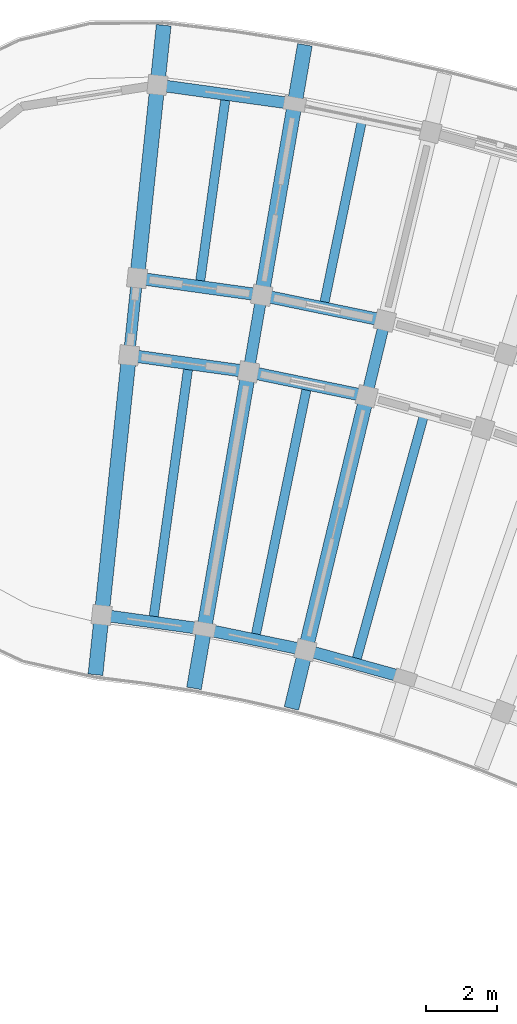
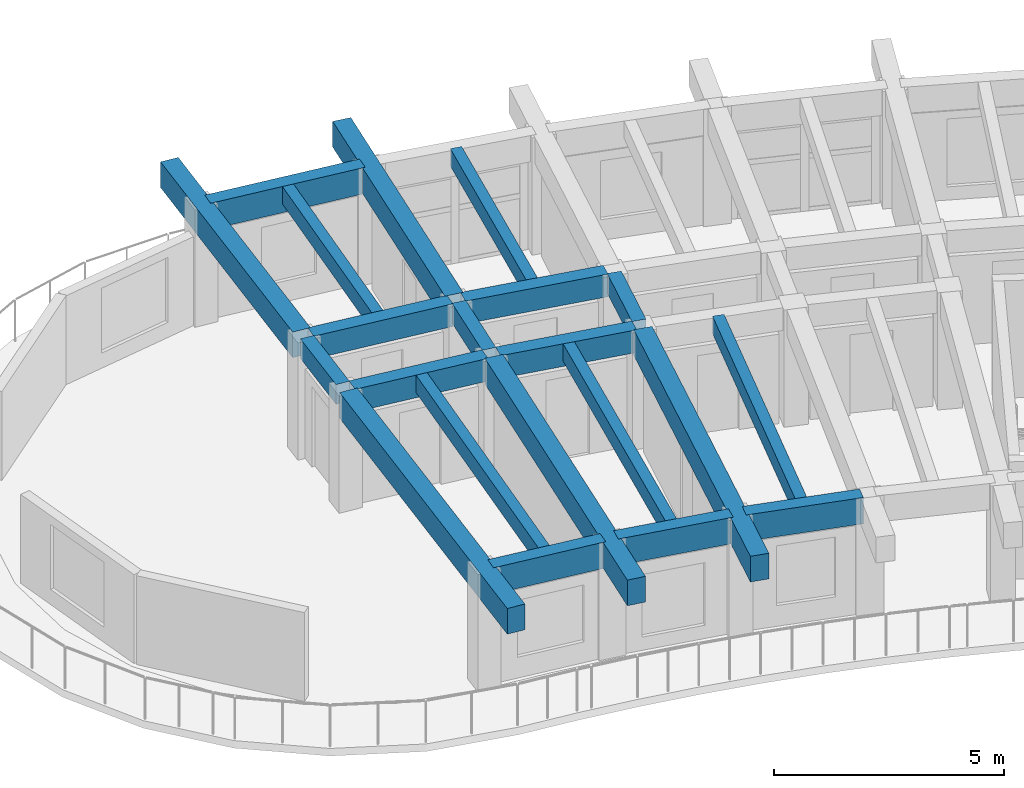
# One storey, part 24 of 96: 21 beams.
"""IFC4 building model written with IfcOpenShell, lengths in metres."""

import ifcopenshell
import ifcopenshell.guid

model = None  # the IFC model being written
_history = None  # IfcOwnerHistory: only IFC2X3 demands one
_inside = {}  # id of a spatial element -> (the spatial element, [elements in it])
_under = {}  # id of a project, library or spatial element -> (it, [spatial elements below it])
_declared = {}  # id of a project -> (the project, [libraries it declares])
_typed = {}  # id of a type object -> (the type object, [elements of that type])
_made_of = {}  # id of a material, layer set ... -> (it, [elements and type objects made of it])


def new_model(schema):
    """Start an empty IFC model of exactly this schema.

    Asked for "IFC4X3", IfcOpenShell would pick the latest addendum, in which some entities
    have other attributes; the version numbers below select the first issue.
    IFC2X3 requires an IfcOwnerHistory on every rooted entity: one is made here for all.
    """
    global model, _history
    if schema == "IFC4X3":
        model = ifcopenshell.file(schema_version=(4, 3, 0, 0))
    else:
        model = ifcopenshell.file(schema=schema)
    _inside.clear()
    _under.clear()
    _declared.clear()
    _typed.clear()
    _made_of.clear()
    _history = None
    if model.schema == "IFC2X3":
        org = make("IfcOrganization", Name="unknown")
        user = make(
            "IfcPersonAndOrganization",
            ThePerson=make("IfcPerson", FamilyName="unknown"),
            TheOrganization=org,
        )
        app = make(
            "IfcApplication",
            ApplicationDeveloper=org,
            Version="unknown",
            ApplicationFullName="unknown",
            ApplicationIdentifier="unknown",
        )
        _history = make(
            "IfcOwnerHistory",
            OwningUser=user,
            OwningApplication=app,
            ChangeAction="ADDED",
            CreationDate=0,
        )
    return model


def make(cls, **values):
    """One entity of the class cls with the attributes given. An attribute that is None is left unset."""
    return model.create_entity(
        cls, **{name: value for name, value in values.items() if value is not None}
    )


def rooted(cls, **values):
    """An entity with a GlobalId (a new one), such as an element, a storey or a relation."""
    return make(cls, GlobalId=ifcopenshell.guid.new(), OwnerHistory=_history, **values)


def si_unit(unit_type, name, prefix=None):
    """IfcSIUnit, for example si_unit("LENGTHUNIT", "METRE", prefix="MILLI")."""
    return make("IfcSIUnit", UnitType=unit_type, Prefix=prefix, Name=name)


def assignment(units):
    """IfcUnitAssignment: the units of a project."""
    return None if units is None else make("IfcUnitAssignment", Units=units)


def point(xyz):
    """IfcCartesianPoint."""
    return None if xyz is None else make("IfcCartesianPoint", Coordinates=xyz)


def direction(xyz):
    """IfcDirection."""
    return None if xyz is None else make("IfcDirection", DirectionRatios=xyz)


def frame(location, z_axis=None, x_axis=None):
    """IfcAxis2Placement3D, a coordinate frame: its origin and axes. An axis left out is left unset."""
    return make(
        "IfcAxis2Placement3D",
        Location=point(location),
        Axis=direction(z_axis),
        RefDirection=direction(x_axis),
    )


def frame_2d(location, x_axis=None):
    """IfcAxis2Placement2D, a coordinate frame in the plane: its origin and x axis."""
    return make(
        "IfcAxis2Placement2D", Location=point(location), RefDirection=direction(x_axis)
    )


def origin():
    """The frame at (0, 0, 0) with its axes left unset."""
    return frame((0.0, 0.0, 0.0))


def origin_2d():
    """The frame at (0, 0) in the plane with its x axis left unset."""
    return frame_2d((0.0, 0.0))


def place(relative_to, where):
    """IfcLocalPlacement: puts the frame where relative to a parent placement (None: the world)."""
    return make(
        "IfcLocalPlacement", PlacementRelTo=relative_to, RelativePlacement=where
    )


def context(
    kind, dimensions, precision=None, world=None, true_north=None, identifier=None
):
    """IfcGeometricRepresentationContext, for example the 3D "Model" context."""
    return make(
        "IfcGeometricRepresentationContext",
        ContextIdentifier=identifier,
        ContextType=kind,
        CoordinateSpaceDimension=dimensions,
        Precision=precision,
        WorldCoordinateSystem=world,
        TrueNorth=true_north,
    )


def subcontext(parent, identifier, kind, view, scale=None):
    """IfcGeometricRepresentationSubContext, for example "Body" below "Model"."""
    return make(
        "IfcGeometricRepresentationSubContext",
        ContextIdentifier=identifier,
        ContextType=kind,
        ParentContext=parent,
        TargetScale=scale,
        TargetView=view,
    )


def project(units=None, contexts=None):
    """IfcProject with its units and contexts."""
    return rooted(
        "IfcProject",
        Name="project",
        RepresentationContexts=contexts,
        UnitsInContext=assignment(units),
    )


def spatial(cls, under=None, at=None, **own):
    """A site, building, storey or space (cls), placed at a placement, below another one or the project."""
    s = rooted(cls, ObjectPlacement=at, **own)
    if under is not None:
        _under.setdefault(under.id(), (under, []))[1].append(s)
    return s


def profile(cls, at=None, kind="AREA", **sizes):
    """A parametric profile (cls). Its sizes go by their IFC names, for example OverallWidth=200.0."""
    return make(cls, ProfileType=kind, Position=at, **sizes)


def rectangle(**sizes):
    """IfcRectangleProfileDef."""
    return profile("IfcRectangleProfileDef", **sizes)


def extrude(swept, where, along, depth):
    """IfcExtrudedAreaSolid: the profile swept, set in the frame where, extruded along a direction by depth."""
    return make(
        "IfcExtrudedAreaSolid",
        SweptArea=swept,
        Position=where,
        ExtrudedDirection=direction(along),
        Depth=depth,
    )


def shape(context_of_items, identifier, shape_type, items):
    """IfcShapeRepresentation: the items that make up one representation, for example the "Body"."""
    return make(
        "IfcShapeRepresentation",
        ContextOfItems=context_of_items,
        RepresentationIdentifier=identifier,
        RepresentationType=shape_type,
        Items=items,
    )


def material(Name=None, Category=None):
    """IfcMaterial."""
    return make("IfcMaterial", Name=Name, Category=Category)


def material_profile(
    of_material, cross_section, Name=None, Category=None, Priority=None
):
    """IfcMaterialProfile: a cross section and its material."""
    return make(
        "IfcMaterialProfile",
        Name=Name,
        Material=of_material,
        Profile=cross_section,
        Priority=Priority,
        Category=Category,
    )


def profile_set(profiles, Name=None, composite=None):
    """IfcMaterialProfileSet."""
    return make(
        "IfcMaterialProfileSet",
        Name=Name,
        MaterialProfiles=profiles,
        CompositeProfile=composite,
    )


def made_of(thing, what):
    """Note that an element or type object is made of a material, layer set ...; save() writes the relation."""
    if what is not None:
        _made_of.setdefault(what.id(), (what, []))[1].append(thing)
    return thing


def type_object(cls, material=None, **own):
    """A type object (cls), such as IfcWallType, which elements share."""
    return made_of(rooted(cls, **own), material)


def element(
    cls,
    number,
    at=None,
    inside=None,
    cuts=None,
    type_object=None,
    material=None,
    context=None,
    identifier="Body",
    shape_type=None,
    held_by="IfcProductDefinitionShape",
    body=None,
    shapes=None,
    **own,
):
    """One element of the class cls, such as IfcWall. Its Tag is "e" and its number.

    at: its placement. inside: the storey or other place that contains it. cuts: it is an
    opening in that element (IfcRelVoidsElement). A single representation is given by context,
    identifier, shape_type and body (its items); several are given by shapes. held_by: the class
    of the entity that holds the representations. save() writes the other relations.
    """
    e = rooted(cls, Tag="e%d" % number, ObjectPlacement=at, **own)
    if body is not None:
        shapes = [shape(context, identifier, shape_type, body)]
    if shapes is not None:
        e.Representation = make(held_by, Representations=shapes)
    if inside is not None:
        _inside.setdefault(inside.id(), (inside, []))[1].append(e)
    if cuts is not None:
        rooted(
            "IfcRelVoidsElement", RelatingBuildingElement=cuts, RelatedOpeningElement=e
        )
    if type_object is not None:
        _typed.setdefault(type_object.id(), (type_object, []))[1].append(e)
    return made_of(e, material)


def aggregate(whole, parts):
    """IfcRelAggregates: a whole, such as a stair, and the parts it consists of."""
    return rooted("IfcRelAggregates", RelatingObject=whole, RelatedObjects=parts)


def save(model, path):
    """Write the relations noted so far, then the file.

    IfcRelAggregates (storeys below a building ...), IfcRelContainedInSpatialStructure (elements
    in a storey), IfcRelDefinesByType, IfcRelAssociatesMaterial and IfcRelDeclares: one each for
    every whole, place, type object, material and project.
    """
    for whole, parts in _under.values():
        aggregate(whole, parts)
    for where, things in _inside.values():
        rooted(
            "IfcRelContainedInSpatialStructure",
            RelatedElements=things,
            RelatingStructure=where,
        )
    for kind, things in _typed.values():
        rooted("IfcRelDefinesByType", RelatedObjects=things, RelatingType=kind)
    for what, things in _made_of.values():
        rooted("IfcRelAssociatesMaterial", RelatedObjects=things, RelatingMaterial=what)
    for by, libraries in _declared.values():
        rooted("IfcRelDeclares", RelatingContext=by, RelatedDefinitions=libraries)
    model.write(path)


model = new_model("IFC4")

# Units and contexts
model_context = context("Model", 3, precision=1e-05, world=origin(), true_north=direction((0.0, 1.0)))
body_context = subcontext(model_context, "Body", "Model", "MODEL_VIEW")
ifc_project = project(units=[si_unit("LENGTHUNIT", "METRE"), si_unit("AREAUNIT", "SQUARE_METRE"), si_unit("VOLUMEUNIT", "CUBIC_METRE"), si_unit("PLANEANGLEUNIT", "RADIAN"), si_unit("MASSUNIT", "GRAM", prefix="KILO")], contexts=[model_context])

# Site, building, storey
site_placement = place(None, origin())
site = spatial("IfcSite", under=ifc_project, at=site_placement, CompositionType="ELEMENT")
building_placement = place(site_placement, origin())
building = spatial("IfcBuilding", under=site, at=building_placement, Name="Tanwirah Colonnade Gardens", CompositionType="ELEMENT")
storey_placement = place(building_placement, frame((0.0, 0.0, 12.199951171875)))
storey = spatial("IfcBuildingStorey", under=building, at=storey_placement, Name="L03", CompositionType="ELEMENT", Elevation=12.199951171875)

# Beams
ifc_material_1 = material(Name="Precast concrete C40/50", Category="concrete")
ifc_material_profile_1 = material_profile(ifc_material_1, rectangle(XDim=0.320068359375, YDim=0.52001953125, at=origin_2d()), Name="PC-BM 320x520")
ifc_profile_set_1 = profile_set([ifc_material_profile_1], Name="Precast concrete C40/50")
beam_type_1 = type_object("IfcBeamType", Name="BM-PC320", PredefinedType="BEAM", material=ifc_profile_set_1)
for number, where, z_axis, x_axis, name in (
    (1, (133.188232421875, 110.75146484375, 2.844970703125), (0.234364199778, 0.972148868159, 0.0), (-0.972148868159, 0.234364199778, 0.0), "Block B L03 Corridor Tie Beam 16"),
    (2, (129.8310546875, 111.444580078125, 2.844970703125), (0.169855285462, 0.985469016256, 0.0), (-0.985469016256, 0.169855285462, 0.0), "Block B L03 Corridor Tie Beam 17"),
    (3, (126.435546875, 111.9150390625, 2.844970703125), (0.104464057197, 0.994528662611, 0.0), (-0.994528662611, 0.104464057197, 0.0), "Block B L03 Corridor Tie Beam 18"),
):
    element("IfcBeam", number, at=place(storey_placement, frame(where, z_axis=z_axis, x_axis=x_axis)), inside=storey, type_object=beam_type_1, Name=name, PredefinedType="BEAM", context=body_context, shape_type="SweptSolid", body=[
        extrude(rectangle(XDim=0.320068359375, YDim=0.52001953125, at=origin_2d()), origin(), (0.0, 0.0, 1.0), 1.900146484375),
    ])
ifc_material_profile_2 = material_profile(ifc_material_1, rectangle(XDim=0.35009765625, YDim=0.60009765625, at=origin_2d()), Name="PC-BM 350x600")
ifc_profile_set_2 = profile_set([ifc_material_profile_2], Name="Precast concrete C40/50")
beam_type_2 = type_object("IfcBeamType", Name="BM-PC350B", PredefinedType="BEAM", material=ifc_profile_set_2)
beam_1_placement = place(storey_placement, frame((133.006103515625, 110.635986328125, 2.804931640625), z_axis=(-0.979335880607, 0.202240532428, 0.0), x_axis=(-0.202240532428, -0.979335880607, 0.0)))
element("IfcBeam", 4, at=beam_1_placement, inside=storey, type_object=beam_type_2, Name="Block B L03 Circumferential Beam 16-R1", PredefinedType="BEAM", context=body_context, shape_type="SweptSolid", body=[
    extrude(rectangle(XDim=0.35009765625, YDim=0.60009765625, at=origin_2d()), origin(), (0.0, 0.0, 1.0), 3.1181640625),
])
beam_2_placement = place(storey_placement, frame((133.521728515625, 112.774658203125, 2.804931640625), z_axis=(-0.979335599813, 0.202241892146, 0.0), x_axis=(-0.202241892146, -0.979335599813, 0.0)))
element("IfcBeam", 5, at=beam_2_placement, inside=storey, type_object=beam_type_2, Name="Block B L03 Circumferential Beam 16-R2", PredefinedType="BEAM", context=body_context, shape_type="SweptSolid", body=[
    extrude(rectangle(XDim=0.35009765625, YDim=0.60009765625, at=origin_2d()), origin(), (0.0, 0.0, 1.0), 3.262939453125),
])
beam_3_placement = place(storey_placement, frame((129.656982421875, 111.3173828125, 2.804931640625), z_axis=(-0.990535787723, 0.137254702069, 0.0), x_axis=(-0.137254702069, -0.990535787723, 0.0)))
element("IfcBeam", 6, at=beam_3_placement, inside=storey, type_object=beam_type_2, Name="Block B L03 Circumferential Beam 17-R1", PredefinedType="BEAM", context=body_context, shape_type="SweptSolid", body=[
    extrude(rectangle(XDim=0.35009765625, YDim=0.60009765625, at=origin_2d()), origin(), (0.0, 0.0, 1.0), 3.1181640625),
])
beam_4_placement = place(storey_placement, frame((130.030517578125, 113.4853515625, 2.804931640625), z_axis=(-0.990530465749, 0.13729310406, 0.0), x_axis=(-0.13729310406, -0.990530465749, 0.0)))
element("IfcBeam", 7, at=beam_4_placement, inside=storey, type_object=beam_type_2, Name="Block B L03 Circumferential Beam 17-R2", PredefinedType="BEAM", context=body_context, shape_type="SweptSolid", body=[
    extrude(rectangle(XDim=0.35009765625, YDim=0.60009765625, at=origin_2d()), origin(), (0.0, 0.0, 1.0), 3.26318359375),
])
ifc_material_2 = material(Name="Precast concrete C45/55", Category="concrete")
ifc_material_profile_3 = material_profile(ifc_material_2, rectangle(XDim=0.419921875, YDim=0.679931640625, at=origin_2d()), Name="PC-BM 420x680")
ifc_profile_set_3 = profile_set([ifc_material_profile_3], Name="Precast concrete C45/55")
beam_type_3 = type_object("IfcBeamType", Name="BM-PC420", PredefinedType="BEAM", material=ifc_profile_set_3)
for number, where, z_axis, x_axis, name in (
    (8, (133.117919921875, 110.459716796875, 2.76513671875), (-0.234401428133, -0.972139892448, 0.0), (0.972139892448, -0.234401428133, 0.0), "Block B L03 Inner Radial Precast Girder 16"),
    (9, (129.780029296875, 111.14892578125, 2.76513671875), (-0.169837490725, -0.985472083189, 0.0), (0.985472083189, -0.169837490725, 0.0), "Block B L03 Inner Radial Precast Girder 17"),
):
    element("IfcBeam", number, at=place(storey_placement, frame(where, z_axis=z_axis, x_axis=x_axis)), inside=storey, type_object=beam_type_3, Name=name, PredefinedType="BEAM", context=body_context, shape_type="SweptSolid", body=[
        extrude(rectangle(XDim=0.419921875, YDim=0.679931640625, at=origin_2d()), origin(), (0.0, 0.0, 1.0), 8.949951171875),
    ])
beam_5_placement = place(storey_placement, frame((130.20458984375, 113.61279296875, 2.76513671875), z_axis=(0.169826898404, 0.985473908624, 0.0), x_axis=(-0.985473908624, 0.169826898404, 0.0)))
element("IfcBeam", 10, at=beam_5_placement, inside=storey, type_object=beam_type_3, Name="Block B L03 Outer Radial Precast Girder 17", PredefinedType="BEAM", context=body_context, shape_type="SweptSolid", body=[
    extrude(rectangle(XDim=0.419921875, YDim=0.679931640625, at=origin_2d()), origin(), (0.0, 0.0, 1.0), 7.0498046875),
])
beam_6_placement = place(storey_placement, frame((126.404052734375, 111.61669921875, 2.76513671875), z_axis=(-0.104531425475, -0.994521584023, 0.0), x_axis=(0.994521584023, -0.104531425475, 0.0)))
element("IfcBeam", 11, at=beam_6_placement, inside=storey, type_object=beam_type_3, Name="Block B L03 Inner Radial Precast Girder 18", PredefinedType="BEAM", context=body_context, shape_type="SweptSolid", body=[
    extrude(rectangle(XDim=0.419921875, YDim=0.679931640625, at=origin_2d()), origin(), (0.0, 0.0, 1.0), 8.949951171875),
])
beam_7_placement = place(storey_placement, frame((126.66552734375, 114.10302734375, 2.76513671875), z_axis=(0.104511730475, 0.994523653913, 0.0), x_axis=(-0.994523653913, 0.104511730475, 0.0)))
element("IfcBeam", 12, at=beam_7_placement, inside=storey, type_object=beam_type_3, Name="Block B L03 Outer Radial Precast Girder 18", PredefinedType="BEAM", context=body_context, shape_type="SweptSolid", body=[
    extrude(rectangle(XDim=0.419921875, YDim=0.679931640625, at=origin_2d()), origin(), (0.0, 0.0, 1.0), 7.050048828125),
])
ifc_material_profile_4 = material_profile(ifc_material_1, rectangle(XDim=0.260009765625, YDim=0.4599609375, at=origin_2d()), Name="PC-JST 260x460")
ifc_profile_set_4 = profile_set([ifc_material_profile_4], Name="Precast concrete C40/50")
beam_type_4 = type_object("IfcBeamType", Name="JST-PC260", PredefinedType="JOIST", material=ifc_profile_set_4)
beam_8_placement = place(storey_placement, frame((132.869140625, 103.16064453125, 2.875), z_axis=(0.266307034535, 0.963888252526, 0.0), x_axis=(-0.963888252526, 0.266307034535, 0.0)))
element("IfcBeam", 13, at=beam_8_placement, inside=storey, type_object=beam_type_4, Name="Block B L03 Inner Precast Floor Joist 15", PredefinedType="JOIST", context=body_context, shape_type="SweptSolid", body=[
    extrude(rectangle(XDim=0.260009765625, YDim=0.4599609375, at=origin_2d()), origin(), (0.0, 0.0, 1.0), 7.159912109375),
])
beam_9_placement = place(storey_placement, frame((131.9541015625, 113.2509765625, 2.875), z_axis=(0.202235688429, 0.979336880918, 0.0), x_axis=(-0.979336880918, 0.202235688429, 0.0)))
element("IfcBeam", 14, at=beam_9_placement, inside=storey, type_object=beam_type_4, Name="Block B L03 Precast Floor Joist 16", PredefinedType="JOIST", context=body_context, shape_type="SweptSolid", body=[
    extrude(rectangle(XDim=0.260009765625, YDim=0.4599609375, at=origin_2d()), origin(), (0.0, 0.0, 1.0), 5.259765625),
])
beam_10_placement = place(storey_placement, frame((130.012939453125, 103.84912109375, 2.875), z_axis=(0.202197428816, 0.979344780851, 0.0), x_axis=(-0.979344780851, 0.202197428816, 0.0)))
element("IfcBeam", 15, at=beam_10_placement, inside=storey, type_object=beam_type_4, Name="Block B L03 Inner Precast Floor Joist 16", PredefinedType="JOIST", context=body_context, shape_type="SweptSolid", body=[
    extrude(rectangle(XDim=0.260009765625, YDim=0.4599609375, at=origin_2d()), origin(), (0.0, 0.0, 1.0), 7.16015625),
])
beam_11_placement = place(storey_placement, frame((128.43505859375, 113.857421875, 2.875), z_axis=(0.137248344923, 0.990536668587, 0.0), x_axis=(-0.990536668587, 0.137248344923, 0.0)))
element("IfcBeam", 16, at=beam_11_placement, inside=storey, type_object=beam_type_4, Name="Block B L03 Precast Floor Joist 17", PredefinedType="JOIST", context=body_context, shape_type="SweptSolid", body=[
    extrude(rectangle(XDim=0.260009765625, YDim=0.4599609375, at=origin_2d()), origin(), (0.0, 0.0, 1.0), 5.260009765625),
])
beam_12_placement = place(storey_placement, frame((127.117431640625, 104.34814453125, 2.875), z_axis=(0.137243132462, 0.99053739081, 0.0), x_axis=(-0.99053739081, 0.137243132462, 0.0)))
element("IfcBeam", 17, at=beam_12_placement, inside=storey, type_object=beam_type_4, Name="Block B L03 Inner Precast Floor Joist 17", PredefinedType="JOIST", context=body_context, shape_type="SweptSolid", body=[
    extrude(rectangle(XDim=0.260009765625, YDim=0.4599609375, at=origin_2d()), origin(), (0.0, 0.0, 1.0), 7.16015625),
])
ifc_material_profile_5 = material_profile(ifc_material_1, rectangle(XDim=0.3349609375, YDim=0.695068359375, at=origin_2d()), Name="PC-SP 335x695")
ifc_profile_set_5 = profile_set([ifc_material_profile_5], Name="Precast concrete C40/50")
beam_type_5 = type_object("IfcBeamType", Name="SP-PC300", PredefinedType="SPANDREL", material=ifc_profile_set_5)
for number, where, z_axis, x_axis, name in (
    (18, (134.098388671875, 102.67138671875, 2.757568359375), (-0.96388669146, 0.266312684688, 0.0), (-0.266312684688, -0.96388669146, 0.0), "Block B L03 Circumferential Beam 15-R0"),
    (19, (131.271728515625, 103.442138671875, 2.757568359375), (-0.979351764611, 0.202163599974, 0.0), (-0.202163599974, -0.979351764611, 0.0), "Block B L03 Circumferential Beam 16-R0"),
    (20, (128.400146484375, 104.02490234375, 2.757568359375), (-0.990531232354, 0.13728757311, 0.0), (-0.13728757311, -0.990531232354, 0.0), "Block B L03 Circumferential Beam 17-R0"),
):
    element("IfcBeam", number, at=place(storey_placement, frame(where, z_axis=z_axis, x_axis=x_axis)), inside=storey, type_object=beam_type_5, Name=name, PredefinedType="SPANDREL", context=body_context, shape_type="SweptSolid", body=[
        extrude(rectangle(XDim=0.3349609375, YDim=0.695068359375, at=origin_2d()), origin(), (0.0, 0.0, 1.0), 2.630126953125),
    ])
beam_13_placement = place(storey_placement, frame((130.964599609375, 118.905517578125, 2.757568359375), z_axis=(-0.990538603978, 0.137234376268, 0.0), x_axis=(-0.137234376268, -0.990538603978, 0.0)))
element("IfcBeam", 21, at=beam_13_placement, inside=storey, type_object=beam_type_5, Name="Block B L03 Circumferential Beam 17-R3", PredefinedType="SPANDREL", context=body_context, shape_type="SweptSolid", body=[
    extrude(rectangle(XDim=0.3349609375, YDim=0.695068359375, at=origin_2d()), origin(), (0.0, 0.0, 1.0), 3.625732421875),
])

save(model, "model.ifc")
